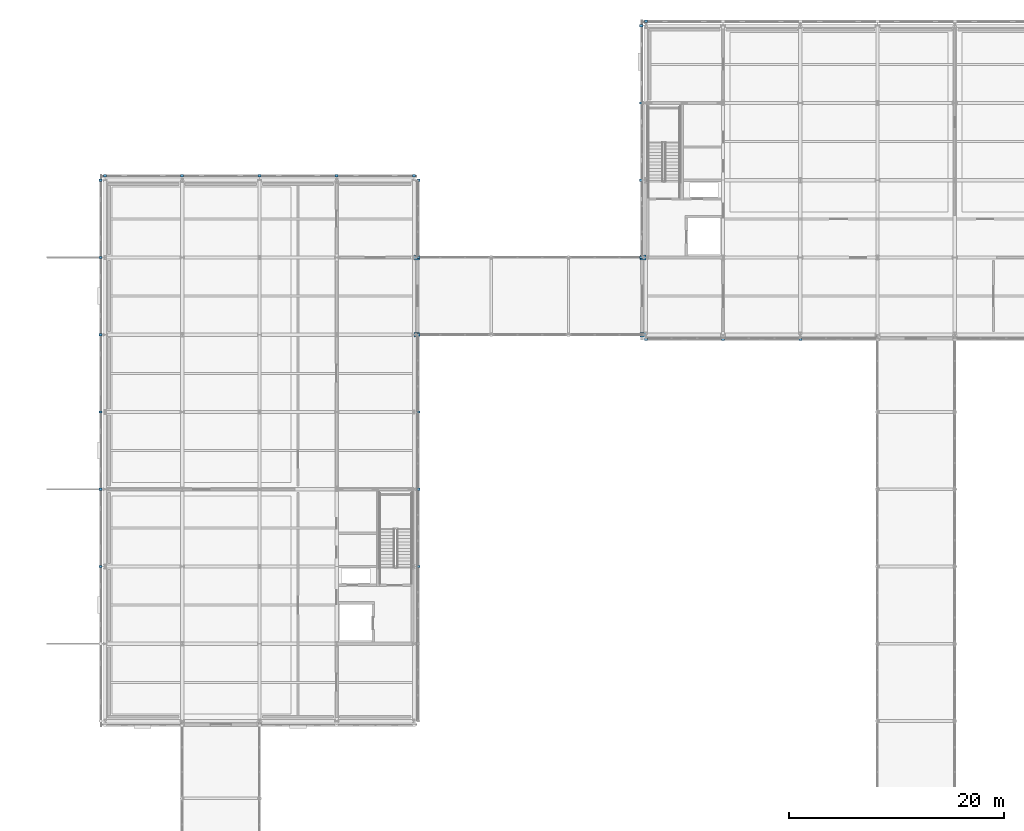
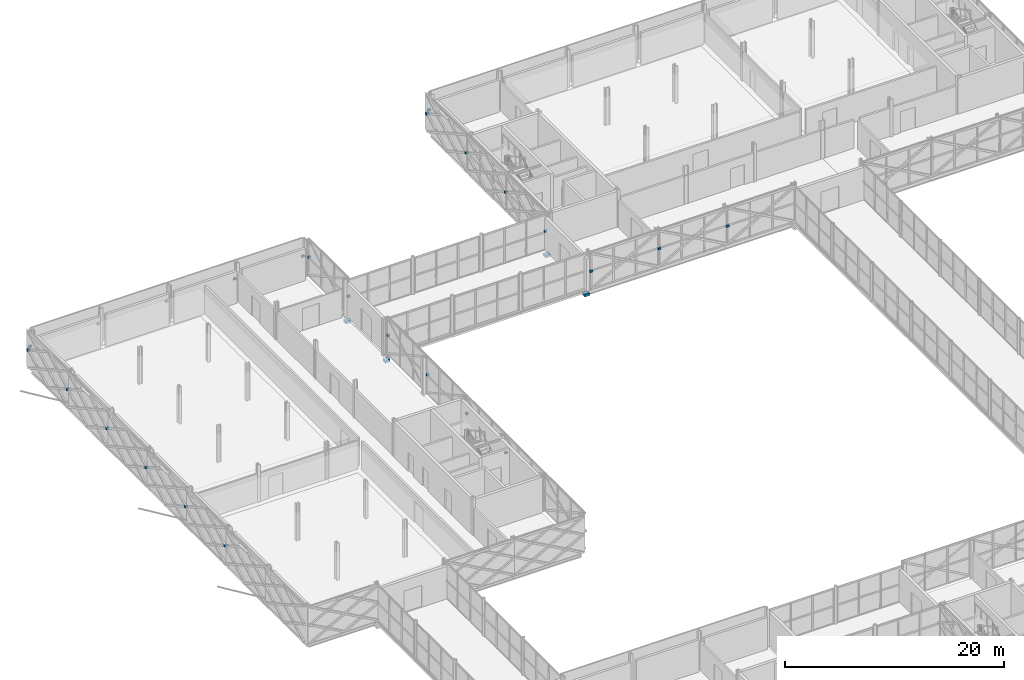
# One storey, part 130 of 146: 29 discrete accessories.
"""IFC4 building model written with IfcOpenShell, lengths in metres."""

from ifc_helpers import new_model, si_unit, direction, frame, origin, origin_2d, place, context, subcontext, project, spatial, rectangle, extrude, material, type_object, element, save


model = new_model("IFC4")

# Units and contexts
model_context = context("Model", 3, precision=1e-05, world=origin(), true_north=direction((0.0, 1.0)))
body_context = subcontext(model_context, "Body", "Model", "MODEL_VIEW")
ifc_project = project(units=[si_unit("LENGTHUNIT", "METRE"), si_unit("AREAUNIT", "SQUARE_METRE"), si_unit("VOLUMEUNIT", "CUBIC_METRE"), si_unit("PLANEANGLEUNIT", "RADIAN"), si_unit("MASSUNIT", "GRAM", prefix="KILO")], contexts=[model_context])

# Site, building, storey
site_placement = place(None, origin())
site = spatial("IfcSite", under=ifc_project, at=site_placement, CompositionType="ELEMENT")
building_placement = place(site_placement, origin())
building = spatial("IfcBuilding", under=site, at=building_placement, Name="Zlatovets Crest Museum", CompositionType="ELEMENT")
storey_placement = place(building_placement, frame((0.0, 0.0, 4.5)))
storey = spatial("IfcBuildingStorey", under=building, at=storey_placement, Name="L01", CompositionType="ELEMENT", Elevation=4.5)

# Discrete accessories
ifc_material = material(Name="Structural steel S355J2", Category="steel")
discrete_accessory_type_1 = type_object("IfcDiscreteAccessoryType", Name="BridgeBearingSeat_BS01", PredefinedType="SHOE", material=ifc_material)
for number, where, z_axis, x_axis, name in (
    (1, (36.260009765625, 86.39990234375, -0.75), (0.0, 0.0, 1.0), (1.0, 0.0, 0.0), "Northwest Crest Glazed Link Bridge L01 520mm Sliding Bearing Seat Corbel Shoe"),
    (2, (36.260009765625, 93.60009765625, -0.75), (0.0, 0.0, 1.0), (1.0, 0.0, 0.0), "Northwest Crest Glazed Link Bridge L01 520mm Sliding Bearing Seat Corbel Shoe"),
    (3, (57.340087890625, 86.39990234375, -0.75), (0.0, 0.0, 1.0), (1.0, 0.0, 0.0), "Northwest Crest Glazed Link Bridge L01 520mm Sliding Bearing Seat Corbel Shoe"),
    (4, (57.340087890625, 93.60009765625, -0.75), (0.0, 0.0, 1.0), (1.0, 0.0, 0.0), "Northwest Crest Glazed Link Bridge L01 520mm Sliding Bearing Seat Corbel Shoe"),
):
    element("IfcDiscreteAccessory", number, at=place(storey_placement, frame(where, z_axis=z_axis, x_axis=x_axis)), inside=storey, type_object=discrete_accessory_type_1, Name=name, PredefinedType="SHOE", context=body_context, shape_type="SweptSolid", body=[
        extrude(rectangle(XDim=0.52001953125, YDim=0.449951171875, at=origin_2d()), origin(), (0.0, 0.0, 1.0), 0.280029296875),
    ])
discrete_accessory_type_2 = type_object("IfcDiscreteAccessoryType", Name="LatticeBracket_BK01", PredefinedType="BRACKET", material=ifc_material)
for number, where, z_axis, x_axis, name in (
    (5, (57.60009765625, 85.97998046875, 1.990234375), (0.0, 0.0, 1.0), (1.0, 0.0, 0.0), "Bronze Lattice Structural Collector Bracket"),
    (6, (64.800048828125, 85.97998046875, 1.990234375), (0.0, 0.0, 1.0), (1.0, 0.0, 0.0), "Bronze Lattice Structural Collector Bracket"),
    (7, (72.0, 85.97998046875, 1.990234375), (0.0, 0.0, 1.0), (1.0, 0.0, 0.0), "Bronze Lattice Structural Collector Bracket"),
    (8, (57.60009765625, 115.6201171875, 1.990234375), (0.0, 0.0, 1.0), (1.0, 0.0, 0.0), "Bronze Lattice Structural Collector Bracket"),
    (9, (57.179931640625, 115.199951171875, 1.990234375), (0.0, 0.0, 1.0), (1.0, 0.0, 0.0), "Bronze Lattice Structural Collector Bracket"),
    (10, (57.179931640625, 108.0, 1.990234375), (0.0, 0.0, 1.0), (1.0, 0.0, 0.0), "Bronze Lattice Structural Collector Bracket"),
    (11, (57.179931640625, 100.800048828125, 1.990234375), (0.0, 0.0, 1.0), (1.0, 0.0, 0.0), "Bronze Lattice Structural Collector Bracket"),
    (12, (57.179931640625, 93.60009765625, 1.990234375), (0.0, 0.0, 1.0), (1.0, 0.0, 0.0), "Bronze Lattice Structural Collector Bracket"),
    (13, (36.419921875, 64.800048828125, 1.990234375), (0.0, 0.0, 1.0), (1.0, 0.0, 0.0), "Bronze Lattice Structural Collector Bracket"),
    (14, (36.419921875, 72.0, 1.990234375), (0.0, 0.0, 1.0), (1.0, 0.0, 0.0), "Bronze Lattice Structural Collector Bracket"),
    (15, (36.419921875, 79.199951171875, 1.990234375), (0.0, 0.0, 1.0), (1.0, 0.0, 0.0), "Bronze Lattice Structural Collector Bracket"),
    (16, (36.419921875, 86.39990234375, 1.990234375), (0.0, 0.0, 1.0), (1.0, 0.0, 0.0), "Bronze Lattice Structural Collector Bracket"),
    (17, (36.419921875, 93.60009765625, 1.990234375), (0.0, 0.0, 1.0), (1.0, 0.0, 0.0), "Bronze Lattice Structural Collector Bracket"),
    (18, (36.419921875, 100.800048828125, 1.990234375), (0.0, 0.0, 1.0), (1.0, 0.0, 0.0), "Bronze Lattice Structural Collector Bracket"),
    (19, (36.0, 101.219970703125, 1.990234375), (0.0, 0.0, 1.0), (1.0, 0.0, 0.0), "Bronze Lattice Structural Collector Bracket"),
    (20, (28.800048828125, 101.219970703125, 1.990234375), (0.0, 0.0, 1.0), (1.0, 0.0, 0.0), "Bronze Lattice Structural Collector Bracket"),
    (21, (21.60009765625, 101.219970703125, 1.990234375), (0.0, 0.0, 1.0), (1.0, 0.0, 0.0), "Bronze Lattice Structural Collector Bracket"),
    (22, (14.39990234375, 101.219970703125, 1.990234375), (0.0, 0.0, 1.0), (1.0, 0.0, 0.0), "Bronze Lattice Structural Collector Bracket"),
    (23, (7.199951171875, 101.219970703125, 1.990234375), (0.0, 0.0, 1.0), (1.0, 0.0, 0.0), "Bronze Lattice Structural Collector Bracket"),
    (24, (6.780029296875, 100.800048828125, 1.990234375), (0.0, 0.0, 1.0), (1.0, 0.0, 0.0), "Bronze Lattice Structural Collector Bracket"),
    (25, (6.780029296875, 93.60009765625, 1.990234375), (0.0, 0.0, 1.0), (1.0, 0.0, 0.0), "Bronze Lattice Structural Collector Bracket"),
    (26, (6.780029296875, 86.39990234375, 1.990234375), (0.0, 0.0, 1.0), (1.0, 0.0, 0.0), "Bronze Lattice Structural Collector Bracket"),
    (27, (6.780029296875, 79.199951171875, 1.990234375), (0.0, 0.0, 1.0), (1.0, 0.0, 0.0), "Bronze Lattice Structural Collector Bracket"),
    (28, (6.780029296875, 72.0, 1.990234375), (0.0, 0.0, 1.0), (1.0, 0.0, 0.0), "Bronze Lattice Structural Collector Bracket"),
    (29, (6.780029296875, 64.800048828125, 1.990234375), (0.0, 0.0, 1.0), (1.0, 0.0, 0.0), "Bronze Lattice Structural Collector Bracket"),
):
    element("IfcDiscreteAccessory", number, at=place(storey_placement, frame(where, z_axis=z_axis, x_axis=x_axis)), inside=storey, type_object=discrete_accessory_type_2, Name=name, PredefinedType="BRACKET", context=body_context, shape_type="SweptSolid", body=[
        extrude(rectangle(XDim=0.280029296875, YDim=0.219970703125, at=origin_2d()), origin(), (0.0, 0.0, 1.0), 0.219970703125),
    ])

save(model, "model.ifc")
